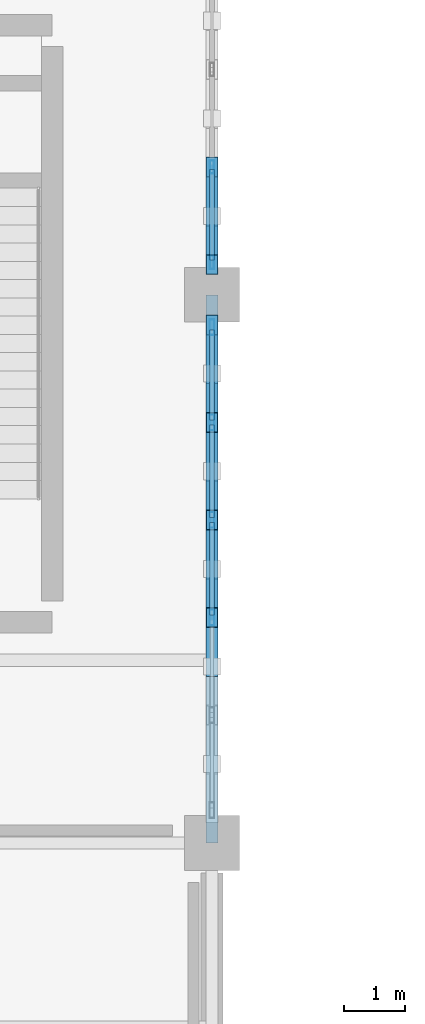
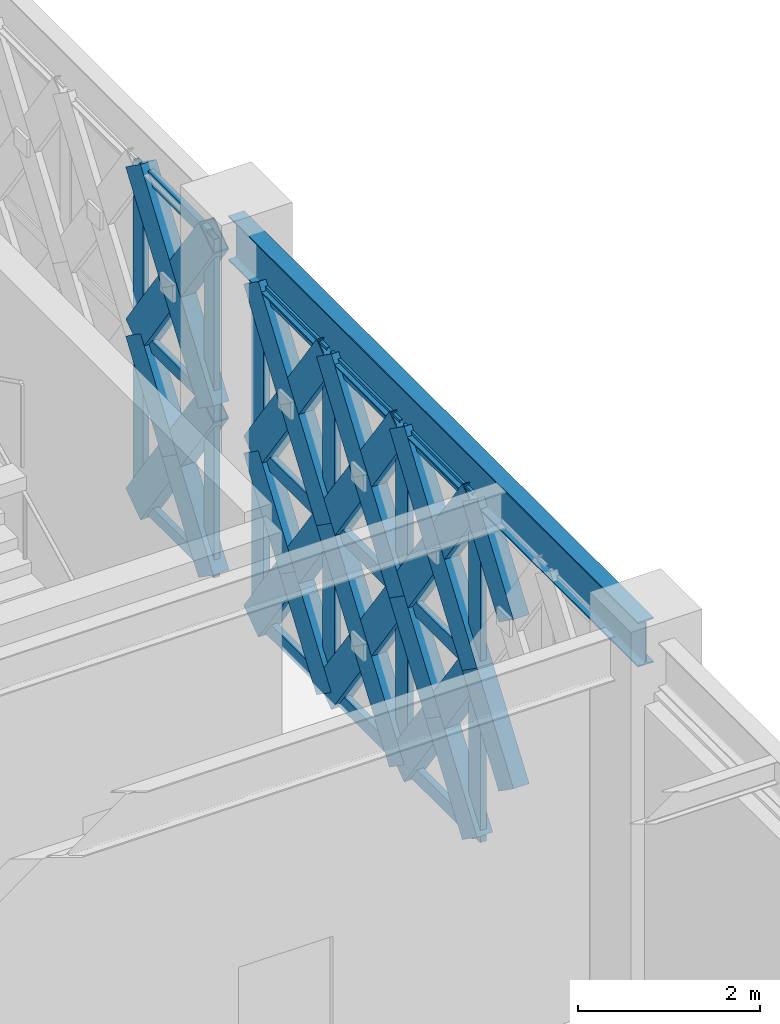
# One storey, part 23 of 166: 44 members, 1 beam, 2 elements without a shape of their own.
"""IFC4 building model written with IfcOpenShell, lengths in metres."""

import ifcopenshell
import ifcopenshell.guid

model = None  # the IFC model being written
_history = None  # IfcOwnerHistory: only IFC2X3 demands one
_inside = {}  # id of a spatial element -> (the spatial element, [elements in it])
_under = {}  # id of a project, library or spatial element -> (it, [spatial elements below it])
_declared = {}  # id of a project -> (the project, [libraries it declares])
_typed = {}  # id of a type object -> (the type object, [elements of that type])
_made_of = {}  # id of a material, layer set ... -> (it, [elements and type objects made of it])


def new_model(schema):
    """Start an empty IFC model of exactly this schema.

    Asked for "IFC4X3", IfcOpenShell would pick the latest addendum, in which some entities
    have other attributes; the version numbers below select the first issue.
    IFC2X3 requires an IfcOwnerHistory on every rooted entity: one is made here for all.
    """
    global model, _history
    if schema == "IFC4X3":
        model = ifcopenshell.file(schema_version=(4, 3, 0, 0))
    else:
        model = ifcopenshell.file(schema=schema)
    _inside.clear()
    _under.clear()
    _declared.clear()
    _typed.clear()
    _made_of.clear()
    _history = None
    if model.schema == "IFC2X3":
        org = make("IfcOrganization", Name="unknown")
        user = make(
            "IfcPersonAndOrganization",
            ThePerson=make("IfcPerson", FamilyName="unknown"),
            TheOrganization=org,
        )
        app = make(
            "IfcApplication",
            ApplicationDeveloper=org,
            Version="unknown",
            ApplicationFullName="unknown",
            ApplicationIdentifier="unknown",
        )
        _history = make(
            "IfcOwnerHistory",
            OwningUser=user,
            OwningApplication=app,
            ChangeAction="ADDED",
            CreationDate=0,
        )
    return model


def make(cls, **values):
    """One entity of the class cls with the attributes given. An attribute that is None is left unset."""
    return model.create_entity(
        cls, **{name: value for name, value in values.items() if value is not None}
    )


def rooted(cls, **values):
    """An entity with a GlobalId (a new one), such as an element, a storey or a relation."""
    return make(cls, GlobalId=ifcopenshell.guid.new(), OwnerHistory=_history, **values)


def si_unit(unit_type, name, prefix=None):
    """IfcSIUnit, for example si_unit("LENGTHUNIT", "METRE", prefix="MILLI")."""
    return make("IfcSIUnit", UnitType=unit_type, Prefix=prefix, Name=name)


def assignment(units):
    """IfcUnitAssignment: the units of a project."""
    return None if units is None else make("IfcUnitAssignment", Units=units)


def point(xyz):
    """IfcCartesianPoint."""
    return None if xyz is None else make("IfcCartesianPoint", Coordinates=xyz)


def direction(xyz):
    """IfcDirection."""
    return None if xyz is None else make("IfcDirection", DirectionRatios=xyz)


def frame(location, z_axis=None, x_axis=None):
    """IfcAxis2Placement3D, a coordinate frame: its origin and axes. An axis left out is left unset."""
    return make(
        "IfcAxis2Placement3D",
        Location=point(location),
        Axis=direction(z_axis),
        RefDirection=direction(x_axis),
    )


def frame_2d(location, x_axis=None):
    """IfcAxis2Placement2D, a coordinate frame in the plane: its origin and x axis."""
    return make(
        "IfcAxis2Placement2D", Location=point(location), RefDirection=direction(x_axis)
    )


def origin():
    """The frame at (0, 0, 0) with its axes left unset."""
    return frame((0.0, 0.0, 0.0))


def origin_2d():
    """The frame at (0, 0) in the plane with its x axis left unset."""
    return frame_2d((0.0, 0.0))


def place(relative_to, where):
    """IfcLocalPlacement: puts the frame where relative to a parent placement (None: the world)."""
    return make(
        "IfcLocalPlacement", PlacementRelTo=relative_to, RelativePlacement=where
    )


def context(
    kind, dimensions, precision=None, world=None, true_north=None, identifier=None
):
    """IfcGeometricRepresentationContext, for example the 3D "Model" context."""
    return make(
        "IfcGeometricRepresentationContext",
        ContextIdentifier=identifier,
        ContextType=kind,
        CoordinateSpaceDimension=dimensions,
        Precision=precision,
        WorldCoordinateSystem=world,
        TrueNorth=true_north,
    )


def subcontext(parent, identifier, kind, view, scale=None):
    """IfcGeometricRepresentationSubContext, for example "Body" below "Model"."""
    return make(
        "IfcGeometricRepresentationSubContext",
        ContextIdentifier=identifier,
        ContextType=kind,
        ParentContext=parent,
        TargetScale=scale,
        TargetView=view,
    )


def project(units=None, contexts=None):
    """IfcProject with its units and contexts."""
    return rooted(
        "IfcProject",
        Name="project",
        RepresentationContexts=contexts,
        UnitsInContext=assignment(units),
    )


def spatial(cls, under=None, at=None, **own):
    """A site, building, storey or space (cls), placed at a placement, below another one or the project."""
    s = rooted(cls, ObjectPlacement=at, **own)
    if under is not None:
        _under.setdefault(under.id(), (under, []))[1].append(s)
    return s


def profile(cls, at=None, kind="AREA", **sizes):
    """A parametric profile (cls). Its sizes go by their IFC names, for example OverallWidth=200.0."""
    return make(cls, ProfileType=kind, Position=at, **sizes)


def hollow_rectangle(**sizes):
    """IfcRectangleHollowProfileDef."""
    return profile("IfcRectangleHollowProfileDef", **sizes)


def i_section(**sizes):
    """IfcIShapeProfileDef."""
    return profile("IfcIShapeProfileDef", **sizes)


def extrude(swept, where, along, depth):
    """IfcExtrudedAreaSolid: the profile swept, set in the frame where, extruded along a direction by depth."""
    return make(
        "IfcExtrudedAreaSolid",
        SweptArea=swept,
        Position=where,
        ExtrudedDirection=direction(along),
        Depth=depth,
    )


def shape(context_of_items, identifier, shape_type, items):
    """IfcShapeRepresentation: the items that make up one representation, for example the "Body"."""
    return make(
        "IfcShapeRepresentation",
        ContextOfItems=context_of_items,
        RepresentationIdentifier=identifier,
        RepresentationType=shape_type,
        Items=items,
    )


def material(Name=None, Category=None):
    """IfcMaterial."""
    return make("IfcMaterial", Name=Name, Category=Category)


def material_profile(
    of_material, cross_section, Name=None, Category=None, Priority=None
):
    """IfcMaterialProfile: a cross section and its material."""
    return make(
        "IfcMaterialProfile",
        Name=Name,
        Material=of_material,
        Profile=cross_section,
        Priority=Priority,
        Category=Category,
    )


def profile_set(profiles, Name=None, composite=None):
    """IfcMaterialProfileSet."""
    return make(
        "IfcMaterialProfileSet",
        Name=Name,
        MaterialProfiles=profiles,
        CompositeProfile=composite,
    )


def made_of(thing, what):
    """Note that an element or type object is made of a material, layer set ...; save() writes the relation."""
    if what is not None:
        _made_of.setdefault(what.id(), (what, []))[1].append(thing)
    return thing


def type_object(cls, material=None, **own):
    """A type object (cls), such as IfcWallType, which elements share."""
    return made_of(rooted(cls, **own), material)


def element(
    cls,
    number,
    at=None,
    inside=None,
    cuts=None,
    type_object=None,
    material=None,
    context=None,
    identifier="Body",
    shape_type=None,
    held_by="IfcProductDefinitionShape",
    body=None,
    shapes=None,
    **own,
):
    """One element of the class cls, such as IfcWall. Its Tag is "e" and its number.

    at: its placement. inside: the storey or other place that contains it. cuts: it is an
    opening in that element (IfcRelVoidsElement). A single representation is given by context,
    identifier, shape_type and body (its items); several are given by shapes. held_by: the class
    of the entity that holds the representations. save() writes the other relations.
    """
    e = rooted(cls, Tag="e%d" % number, ObjectPlacement=at, **own)
    if body is not None:
        shapes = [shape(context, identifier, shape_type, body)]
    if shapes is not None:
        e.Representation = make(held_by, Representations=shapes)
    if inside is not None:
        _inside.setdefault(inside.id(), (inside, []))[1].append(e)
    if cuts is not None:
        rooted(
            "IfcRelVoidsElement", RelatingBuildingElement=cuts, RelatedOpeningElement=e
        )
    if type_object is not None:
        _typed.setdefault(type_object.id(), (type_object, []))[1].append(e)
    return made_of(e, material)


def aggregate(whole, parts):
    """IfcRelAggregates: a whole, such as a stair, and the parts it consists of."""
    return rooted("IfcRelAggregates", RelatingObject=whole, RelatedObjects=parts)


def save(model, path):
    """Write the relations noted so far, then the file.

    IfcRelAggregates (storeys below a building ...), IfcRelContainedInSpatialStructure (elements
    in a storey), IfcRelDefinesByType, IfcRelAssociatesMaterial and IfcRelDeclares: one each for
    every whole, place, type object, material and project.
    """
    for whole, parts in _under.values():
        aggregate(whole, parts)
    for where, things in _inside.values():
        rooted(
            "IfcRelContainedInSpatialStructure",
            RelatedElements=things,
            RelatingStructure=where,
        )
    for kind, things in _typed.values():
        rooted("IfcRelDefinesByType", RelatedObjects=things, RelatingType=kind)
    for what, things in _made_of.values():
        rooted("IfcRelAssociatesMaterial", RelatedObjects=things, RelatingMaterial=what)
    for by, libraries in _declared.values():
        rooted("IfcRelDeclares", RelatingContext=by, RelatedDefinitions=libraries)
    model.write(path)


model = new_model("IFC4")

# Units and contexts
model_context = context("Model", 3, precision=1e-05, world=origin(), true_north=direction((0.0, 1.0)))
body_context = subcontext(model_context, "Body", "Model", "MODEL_VIEW")
ifc_project = project(units=[si_unit("LENGTHUNIT", "METRE"), si_unit("AREAUNIT", "SQUARE_METRE"), si_unit("VOLUMEUNIT", "CUBIC_METRE"), si_unit("PLANEANGLEUNIT", "RADIAN"), si_unit("MASSUNIT", "GRAM", prefix="KILO")], contexts=[model_context])

# Site, building, storey
site_placement = place(None, origin())
site = spatial("IfcSite", under=ifc_project, at=site_placement, CompositionType="ELEMENT")
building_placement = place(site_placement, origin())
building = spatial("IfcBuilding", under=site, at=building_placement, Name="Haizhuo Lancet Aquarium", CompositionType="ELEMENT")
storey_placement = place(building_placement, frame((0.0, 0.0, 5.39990234375)))
storey = spatial("IfcBuildingStorey", under=building, at=storey_placement, Name="L01", CompositionType="ELEMENT", Elevation=5.39990234375)

# Beam
ifc_material_1 = material(Name="Steel S355", Category="steel")
ifc_material_profile_1 = material_profile(ifc_material_1, i_section(OverallWidth=0.199951171875, OverallDepth=0.60009765625, WebThickness=0.010986328125, FlangeThickness=0.01708984375, FilletRadius=0.02197265625, at=origin_2d()), Name="HN 600x200x11x17")
ifc_profile_set_1 = profile_set([ifc_material_profile_1], Name="Steel S355")
beam_type = type_object("IfcBeamType", Name="BM-ST-HN600", PredefinedType="BEAM", material=ifc_profile_set_1)
beam_placement = place(storey_placement, frame((-36.0, -27.0, 4.840087890625), z_axis=(0.0, 1.0, 0.0), x_axis=(-1.0, 0.0, 0.0)))
element("IfcBeam", 1, at=beam_placement, inside=storey, type_object=beam_type, Name="L01 V6 primary girder BM-L01-V6-028", PredefinedType="BEAM", context=body_context, shape_type="SweptSolid", body=[
    extrude(i_section(OverallWidth=0.199951171875, OverallDepth=0.60009765625, WebThickness=0.010986328125, FlangeThickness=0.01708984375, FilletRadius=0.02197265625, at=origin_2d()), origin(), (0.0, 0.0, 1.0), 9.0),
])

# Curtain wall, members
ifc_material_2 = material(Name="Aluminium 6063-T6", Category="aluminium")
curtain_wall_type = type_object("IfcCurtainWallType", Name="CWD-8010x4540", PredefinedType="NOTDEFINED", material=ifc_material_2)
curtain_wall_1_placement = place(storey_placement, origin())
curtain_wall_1 = element("IfcCurtainWall", 2, at=curtain_wall_1_placement, inside=storey, type_object=curtain_wall_type, Name="L01 curtain wall CW-V6-L01-206", PredefinedType="NOTDEFINED")
ifc_material_profile_2 = material_profile(ifc_material_2, hollow_rectangle(XDim=0.074951171875, YDim=0.219970703125, WallThickness=0.0048828125, at=origin_2d()), Name="ALU-M 75x220x5")
ifc_profile_set_2 = profile_set([ifc_material_profile_2], Name="Aluminium 6063-T6")
member_type_1 = type_object("IfcMemberType", Name="CW-MUL-2", PredefinedType="MULLION", material=ifc_profile_set_2)
member_1_placement = place(storey_placement, frame((-36.0, -15.903076171875, 0.0), z_axis=(0.0, 0.0, 1.0), x_axis=(1.0, 0.0, 0.0)))
member_1 = element("IfcMember", 3, at=member_1_placement, type_object=member_type_1, Name="CWD-80x45 mullion 5", PredefinedType="MULLION", context=body_context, shape_type="SweptSolid", body=[
    extrude(hollow_rectangle(XDim=0.074951171875, YDim=0.219970703125, WallThickness=0.0048828125, at=origin_2d()), origin(), (0.0, 0.0, 1.0), 4.5400390625),
])
member_2_placement = place(storey_placement, frame((-36.0, -17.468017578125, 0.0), z_axis=(0.0, 0.0, 1.0), x_axis=(1.0, 0.0, 0.0)))
member_2 = element("IfcMember", 4, at=member_2_placement, type_object=member_type_1, Name="CWD-80x45 mullion 6", PredefinedType="MULLION", context=body_context, shape_type="SweptSolid", body=[
    extrude(hollow_rectangle(XDim=0.074951171875, YDim=0.219970703125, WallThickness=0.0048828125, at=origin_2d()), origin(), (0.0, 0.0, 1.0), 4.5400390625),
])

curtain_wall_2_placement = place(storey_placement, origin())
curtain_wall_2 = element("IfcCurtainWall", 5, at=curtain_wall_2_placement, inside=storey, type_object=curtain_wall_type, Name="L01 curtain wall CW-V6-L01-207", PredefinedType="NOTDEFINED")
ifc_material_profile_3 = material_profile(ifc_material_2, hollow_rectangle(XDim=0.080078125, YDim=0.260009765625, WallThickness=0.0048828125, at=origin_2d()), Name="ALU-M 80x260x5")
ifc_profile_set_3 = profile_set([ifc_material_profile_3], Name="Aluminium 6063-T6")
member_type_2 = type_object("IfcMemberType", Name="CW-MUL-3", PredefinedType="MULLION", material=ifc_profile_set_3)
member_3_placement = place(storey_placement, frame((-36.0, -18.534912109375, 0.0), z_axis=(0.0, 0.0, 1.0), x_axis=(1.0, 0.0, 0.0)))
member_3 = element("IfcMember", 6, at=member_3_placement, type_object=member_type_2, Name="CWD-80x45 mullion 1", PredefinedType="MULLION", context=body_context, shape_type="SweptSolid", body=[
    extrude(hollow_rectangle(XDim=0.080078125, YDim=0.260009765625, WallThickness=0.0048828125, at=origin_2d()), origin(), (0.0, 0.0, 1.0), 4.5400390625),
])
member_4_placement = place(storey_placement, frame((-36.0, -20.096923828125, 0.0), z_axis=(0.0, 0.0, 1.0), x_axis=(1.0, 0.0, 0.0)))
member_4 = element("IfcMember", 7, at=member_4_placement, type_object=member_type_2, Name="CWD-80x45 mullion 2", PredefinedType="MULLION", context=body_context, shape_type="SweptSolid", body=[
    extrude(hollow_rectangle(XDim=0.080078125, YDim=0.260009765625, WallThickness=0.0048828125, at=origin_2d()), origin(), (0.0, 0.0, 1.0), 4.5400390625),
])
member_5_placement = place(storey_placement, frame((-36.0, -21.698974609375, 0.0), z_axis=(0.0, 0.0, 1.0), x_axis=(1.0, 0.0, 0.0)))
member_5 = element("IfcMember", 8, at=member_5_placement, type_object=member_type_2, Name="CWD-80x45 mullion 3", PredefinedType="MULLION", context=body_context, shape_type="SweptSolid", body=[
    extrude(hollow_rectangle(XDim=0.080078125, YDim=0.260009765625, WallThickness=0.0048828125, at=origin_2d()), origin(), (0.0, 0.0, 1.0), 4.5400390625),
])
member_6_placement = place(storey_placement, frame((-36.0, -23.301025390625, 0.0), z_axis=(0.0, 0.0, 1.0), x_axis=(1.0, 0.0, 0.0)))
member_6 = element("IfcMember", 9, at=member_6_placement, type_object=member_type_2, Name="CWD-80x45 mullion 4", PredefinedType="MULLION", context=body_context, shape_type="SweptSolid", body=[
    extrude(hollow_rectangle(XDim=0.080078125, YDim=0.260009765625, WallThickness=0.0048828125, at=origin_2d()), origin(), (0.0, 0.0, 1.0), 4.5400390625),
])

# Member
ifc_material_profile_4 = material_profile(ifc_material_2, hollow_rectangle(XDim=0.074951171875, YDim=0.159912109375, WallThickness=0.00390625, at=origin_2d()), Name="ALU-T 75x160x4")
ifc_profile_set_4 = profile_set([ifc_material_profile_4], Name="Aluminium 6063-T6")
member_type_3 = type_object("IfcMemberType", Name="CW-TRN-2", PredefinedType="NOTDEFINED", material=ifc_profile_set_4)
member_7_placement = place(storey_placement, frame((-36.0, -15.93994140625, 0.0380859375), z_axis=(0.0, -1.0, 0.0), x_axis=(1.0, 0.0, 0.0)))
member_7 = element("IfcMember", 10, at=member_7_placement, type_object=member_type_3, Name="CWD-80x45 transom 5.1", ObjectType="TRANSOM", PredefinedType="USERDEFINED", context=body_context, shape_type="SweptSolid", body=[
    extrude(hollow_rectangle(XDim=0.074951171875, YDim=0.159912109375, WallThickness=0.00390625, at=origin_2d()), origin(), (0.0, 0.0, 1.0), 1.489990234375),
])

member_8_placement = place(storey_placement, frame((-36.0, -15.93994140625, 2.27001953125), z_axis=(0.0, -1.0, 0.0), x_axis=(1.0, 0.0, 0.0)))
member_8 = element("IfcMember", 11, at=member_8_placement, type_object=member_type_3, Name="CWD-80x45 transom 5.2", ObjectType="TRANSOM", PredefinedType="USERDEFINED", context=body_context, shape_type="SweptSolid", body=[
    extrude(hollow_rectangle(XDim=0.074951171875, YDim=0.159912109375, WallThickness=0.00390625, at=origin_2d()), origin(), (0.0, 0.0, 1.0), 1.489990234375),
])

member_9_placement = place(storey_placement, frame((-36.0, -15.93994140625, 4.502197265625), z_axis=(0.0, -1.0, 0.0), x_axis=(1.0, 0.0, 0.0)))
member_9 = element("IfcMember", 12, at=member_9_placement, type_object=member_type_3, Name="CWD-80x45 transom 5.3", ObjectType="TRANSOM", PredefinedType="USERDEFINED", context=body_context, shape_type="SweptSolid", body=[
    extrude(hollow_rectangle(XDim=0.074951171875, YDim=0.159912109375, WallThickness=0.00390625, at=origin_2d()), origin(), (0.0, 0.0, 1.0), 1.489990234375),
])

aggregate(curtain_wall_1, [member_1, member_2, member_7, member_8, member_9])

ifc_material_profile_5 = material_profile(ifc_material_2, hollow_rectangle(XDim=0.080078125, YDim=0.18994140625, WallThickness=0.0048828125, at=origin_2d()), Name="ALU-T 80x190x5")
ifc_profile_set_5 = profile_set([ifc_material_profile_5], Name="Aluminium 6063-T6")
member_type_4 = type_object("IfcMemberType", Name="CW-TRN-3", PredefinedType="NOTDEFINED", material=ifc_profile_set_5)
member_10_placement = place(storey_placement, frame((-36.0, -18.574951171875, 0.0400390625), z_axis=(0.0, -1.0, 0.0), x_axis=(1.0, 0.0, 0.0)))
member_10 = element("IfcMember", 13, at=member_10_placement, type_object=member_type_4, Name="CWD-80x45 transom 1.1", ObjectType="TRANSOM", PredefinedType="USERDEFINED", context=body_context, shape_type="SweptSolid", body=[
    extrude(hollow_rectangle(XDim=0.080078125, YDim=0.18994140625, WallThickness=0.0048828125, at=origin_2d()), origin(), (0.0, 0.0, 1.0), 1.48193359375),
])

member_11_placement = place(storey_placement, frame((-36.0, -18.574951171875, 2.27001953125), z_axis=(0.0, -1.0, 0.0), x_axis=(1.0, 0.0, 0.0)))
member_11 = element("IfcMember", 14, at=member_11_placement, type_object=member_type_4, Name="CWD-80x45 transom 1.2", ObjectType="TRANSOM", PredefinedType="USERDEFINED", context=body_context, shape_type="SweptSolid", body=[
    extrude(hollow_rectangle(XDim=0.080078125, YDim=0.18994140625, WallThickness=0.0048828125, at=origin_2d()), origin(), (0.0, 0.0, 1.0), 1.48193359375),
])

member_12_placement = place(storey_placement, frame((-36.0, -18.574951171875, 4.5), z_axis=(0.0, -1.0, 0.0), x_axis=(1.0, 0.0, 0.0)))
member_12 = element("IfcMember", 15, at=member_12_placement, type_object=member_type_4, Name="CWD-80x45 transom 1.3", ObjectType="TRANSOM", PredefinedType="USERDEFINED", context=body_context, shape_type="SweptSolid", body=[
    extrude(hollow_rectangle(XDim=0.080078125, YDim=0.18994140625, WallThickness=0.0048828125, at=origin_2d()), origin(), (0.0, 0.0, 1.0), 1.48193359375),
])

member_13_placement = place(storey_placement, frame((-36.0, -20.136962890625, 0.0400390625), z_axis=(0.0, -1.0, 0.0), x_axis=(1.0, 0.0, 0.0)))
member_13 = element("IfcMember", 16, at=member_13_placement, type_object=member_type_4, Name="CWD-80x45 transom 2.1", ObjectType="TRANSOM", PredefinedType="USERDEFINED", context=body_context, shape_type="SweptSolid", body=[
    extrude(hollow_rectangle(XDim=0.080078125, YDim=0.18994140625, WallThickness=0.0048828125, at=origin_2d()), origin(), (0.0, 0.0, 1.0), 1.52197265625),
])

member_14_placement = place(storey_placement, frame((-36.0, -20.136962890625, 2.27001953125), z_axis=(0.0, -1.0, 0.0), x_axis=(1.0, 0.0, 0.0)))
member_14 = element("IfcMember", 17, at=member_14_placement, type_object=member_type_4, Name="CWD-80x45 transom 2.2", ObjectType="TRANSOM", PredefinedType="USERDEFINED", context=body_context, shape_type="SweptSolid", body=[
    extrude(hollow_rectangle(XDim=0.080078125, YDim=0.18994140625, WallThickness=0.0048828125, at=origin_2d()), origin(), (0.0, 0.0, 1.0), 1.52197265625),
])

member_15_placement = place(storey_placement, frame((-36.0, -20.136962890625, 4.5), z_axis=(0.0, -1.0, 0.0), x_axis=(1.0, 0.0, 0.0)))
member_15 = element("IfcMember", 18, at=member_15_placement, type_object=member_type_4, Name="CWD-80x45 transom 2.3", ObjectType="TRANSOM", PredefinedType="USERDEFINED", context=body_context, shape_type="SweptSolid", body=[
    extrude(hollow_rectangle(XDim=0.080078125, YDim=0.18994140625, WallThickness=0.0048828125, at=origin_2d()), origin(), (0.0, 0.0, 1.0), 1.52197265625),
])

member_16_placement = place(storey_placement, frame((-36.0, -21.739013671875, 0.0400390625), z_axis=(0.0, -1.0, 0.0), x_axis=(1.0, 0.0, 0.0)))
member_16 = element("IfcMember", 19, at=member_16_placement, type_object=member_type_4, Name="CWD-80x45 transom 3.1", ObjectType="TRANSOM", PredefinedType="USERDEFINED", context=body_context, shape_type="SweptSolid", body=[
    extrude(hollow_rectangle(XDim=0.080078125, YDim=0.18994140625, WallThickness=0.0048828125, at=origin_2d()), origin(), (0.0, 0.0, 1.0), 1.52197265625),
])

member_17_placement = place(storey_placement, frame((-36.0, -21.739013671875, 2.27001953125), z_axis=(0.0, -1.0, 0.0), x_axis=(1.0, 0.0, 0.0)))
member_17 = element("IfcMember", 20, at=member_17_placement, type_object=member_type_4, Name="CWD-80x45 transom 3.2", ObjectType="TRANSOM", PredefinedType="USERDEFINED", context=body_context, shape_type="SweptSolid", body=[
    extrude(hollow_rectangle(XDim=0.080078125, YDim=0.18994140625, WallThickness=0.0048828125, at=origin_2d()), origin(), (0.0, 0.0, 1.0), 1.52197265625),
])

member_18_placement = place(storey_placement, frame((-36.0, -21.739013671875, 4.5), z_axis=(0.0, -1.0, 0.0), x_axis=(1.0, 0.0, 0.0)))
member_18 = element("IfcMember", 21, at=member_18_placement, type_object=member_type_4, Name="CWD-80x45 transom 3.3", ObjectType="TRANSOM", PredefinedType="USERDEFINED", context=body_context, shape_type="SweptSolid", body=[
    extrude(hollow_rectangle(XDim=0.080078125, YDim=0.18994140625, WallThickness=0.0048828125, at=origin_2d()), origin(), (0.0, 0.0, 1.0), 1.52197265625),
])

aggregate(curtain_wall_2, [member_3, member_4, member_5, member_6, member_10, member_11, member_12, member_13, member_14, member_15, member_16, member_17, member_18])

# Members
ifc_material_profile_6 = material_profile(ifc_material_1, hollow_rectangle(XDim=0.199951171875, YDim=0.39990234375, WallThickness=0.011962890625, at=origin_2d()), Name="RHS 200x400x12")
ifc_profile_set_6 = profile_set([ifc_material_profile_6], Name="Steel S355")
member_type_5 = type_object("IfcMemberType", Name="MEM-LB-RHS200x400", PredefinedType="BRACE", material=ifc_profile_set_6)
member_19_placement = place(storey_placement, frame((-36.0, -15.903076171875, 0.0), z_axis=(0.0, -0.576548637348, 0.81706283037), x_axis=(1.0, 0.0, 0.0)))
element("IfcMember", 22, at=member_19_placement, inside=storey, type_object=member_type_5, Name="Gothic lancet continuous diagonal brace CW-V6-L01-206 9A", PredefinedType="BRACE", context=body_context, shape_type="SweptSolid", body=[
    extrude(hollow_rectangle(XDim=0.199951171875, YDim=0.39990234375, WallThickness=0.011962890625, at=origin_2d()), origin(), (0.0, 0.0, 1.0), 2.7783203125),
])
for number, where, z_axis, x_axis, name in (
    (23, (-36.0, -17.5048828125, 0.0), (0.0, 0.576489968194, 0.81710422626), (-1.0, 0.0, 0.0), "Gothic lancet split diagonal brace CW-V6-L01-206 9B1"),
    (24, (-36.0, -16.7041015625, 1.135009765625), (0.0, 0.576607297585, 0.817021434463), (-1.0, 0.0, 0.0), "Gothic lancet split diagonal brace CW-V6-L01-206 9B2"),
):
    element("IfcMember", number, at=place(storey_placement, frame(where, z_axis=z_axis, x_axis=x_axis)), inside=storey, type_object=member_type_5, Name=name, PredefinedType="BRACE", context=body_context, shape_type="SweptSolid", body=[
        extrude(hollow_rectangle(XDim=0.199951171875, YDim=0.39990234375, WallThickness=0.011962890625, at=origin_2d()), origin(), (0.0, 0.0, 1.0), 1.38916015625),
    ])
member_20_placement = place(storey_placement, frame((-36.0, -15.903076171875, 2.27001953125), z_axis=(0.0, -0.576548637348, 0.81706283037), x_axis=(1.0, 0.0, 0.0)))
element("IfcMember", 25, at=member_20_placement, inside=storey, type_object=member_type_5, Name="Gothic lancet continuous diagonal brace CW-V6-L01-206 10A", PredefinedType="BRACE", context=body_context, shape_type="SweptSolid", body=[
    extrude(hollow_rectangle(XDim=0.199951171875, YDim=0.39990234375, WallThickness=0.011962890625, at=origin_2d()), origin(), (0.0, 0.0, 1.0), 2.7783203125),
])
for number, where, z_axis, x_axis, name in (
    (26, (-36.0, -17.5048828125, 2.27001953125), (0.0, 0.576489968194, 0.81710422626), (-1.0, 0.0, 0.0), "Gothic lancet split diagonal brace CW-V6-L01-206 10B1"),
    (27, (-36.0, -16.7041015625, 3.405029296875), (0.0, 0.576607297585, 0.817021434463), (-1.0, 0.0, 0.0), "Gothic lancet split diagonal brace CW-V6-L01-206 10B2"),
):
    element("IfcMember", number, at=place(storey_placement, frame(where, z_axis=z_axis, x_axis=x_axis)), inside=storey, type_object=member_type_5, Name=name, PredefinedType="BRACE", context=body_context, shape_type="SweptSolid", body=[
        extrude(hollow_rectangle(XDim=0.199951171875, YDim=0.39990234375, WallThickness=0.011962890625, at=origin_2d()), origin(), (0.0, 0.0, 1.0), 1.38916015625),
    ])
member_21_placement = place(storey_placement, frame((-36.0, -18.4951171875, 0.0), z_axis=(0.0, -0.576548637348, 0.81706283037), x_axis=(1.0, 0.0, 0.0)))
element("IfcMember", 28, at=member_21_placement, inside=storey, type_object=member_type_5, Name="Gothic lancet continuous diagonal brace CW-V6-L01-207 1A", PredefinedType="BRACE", context=body_context, shape_type="SweptSolid", body=[
    extrude(hollow_rectangle(XDim=0.199951171875, YDim=0.39990234375, WallThickness=0.011962890625, at=origin_2d()), origin(), (0.0, 0.0, 1.0), 2.7783203125),
])
for number, where, z_axis, x_axis, name in (
    (29, (-36.0, -20.096923828125, 0.0), (0.0, 0.576607297585, 0.817021434463), (-1.0, 0.0, 0.0), "Gothic lancet split diagonal brace CW-V6-L01-207 1B1"),
    (30, (-36.0, -19.2958984375, 1.135009765625), (0.0, 0.576489968194, 0.81710422626), (-1.0, 0.0, 0.0), "Gothic lancet split diagonal brace CW-V6-L01-207 1B2"),
):
    element("IfcMember", number, at=place(storey_placement, frame(where, z_axis=z_axis, x_axis=x_axis)), inside=storey, type_object=member_type_5, Name=name, PredefinedType="BRACE", context=body_context, shape_type="SweptSolid", body=[
        extrude(hollow_rectangle(XDim=0.199951171875, YDim=0.39990234375, WallThickness=0.011962890625, at=origin_2d()), origin(), (0.0, 0.0, 1.0), 1.38916015625),
    ])
member_22_placement = place(storey_placement, frame((-36.0, -18.4951171875, 2.27001953125), z_axis=(0.0, -0.576548637348, 0.81706283037), x_axis=(1.0, 0.0, 0.0)))
element("IfcMember", 31, at=member_22_placement, inside=storey, type_object=member_type_5, Name="Gothic lancet continuous diagonal brace CW-V6-L01-207 2A", PredefinedType="BRACE", context=body_context, shape_type="SweptSolid", body=[
    extrude(hollow_rectangle(XDim=0.199951171875, YDim=0.39990234375, WallThickness=0.011962890625, at=origin_2d()), origin(), (0.0, 0.0, 1.0), 2.7783203125),
])
for number, where, z_axis, x_axis, name in (
    (32, (-36.0, -20.096923828125, 2.27001953125), (0.0, 0.576607297585, 0.817021434463), (-1.0, 0.0, 0.0), "Gothic lancet split diagonal brace CW-V6-L01-207 2B1"),
    (33, (-36.0, -19.2958984375, 3.405029296875), (0.0, 0.576489968194, 0.81710422626), (-1.0, 0.0, 0.0), "Gothic lancet split diagonal brace CW-V6-L01-207 2B2"),
):
    element("IfcMember", number, at=place(storey_placement, frame(where, z_axis=z_axis, x_axis=x_axis)), inside=storey, type_object=member_type_5, Name=name, PredefinedType="BRACE", context=body_context, shape_type="SweptSolid", body=[
        extrude(hollow_rectangle(XDim=0.199951171875, YDim=0.39990234375, WallThickness=0.011962890625, at=origin_2d()), origin(), (0.0, 0.0, 1.0), 1.38916015625),
    ])
member_23_placement = place(storey_placement, frame((-36.0, -20.096923828125, 0.0), z_axis=(0.0, -0.576607297585, 0.817021434463), x_axis=(1.0, 0.0, 0.0)))
element("IfcMember", 34, at=member_23_placement, inside=storey, type_object=member_type_5, Name="Gothic lancet continuous diagonal brace CW-V6-L01-207 3A", PredefinedType="BRACE", context=body_context, shape_type="SweptSolid", body=[
    extrude(hollow_rectangle(XDim=0.199951171875, YDim=0.39990234375, WallThickness=0.011962890625, at=origin_2d()), origin(), (0.0, 0.0, 1.0), 2.7783203125),
])
for number, where, z_axis, x_axis, name in (
    (35, (-36.0, -21.698974609375, 0.0), (0.0, 0.576607297585, 0.817021434463), (-1.0, 0.0, 0.0), "Gothic lancet split diagonal brace CW-V6-L01-207 3B1"),
    (36, (-36.0, -20.89794921875, 1.135009765625), (0.0, 0.576607297585, 0.817021434463), (-1.0, 0.0, 0.0), "Gothic lancet split diagonal brace CW-V6-L01-207 3B2"),
):
    element("IfcMember", number, at=place(storey_placement, frame(where, z_axis=z_axis, x_axis=x_axis)), inside=storey, type_object=member_type_5, Name=name, PredefinedType="BRACE", context=body_context, shape_type="SweptSolid", body=[
        extrude(hollow_rectangle(XDim=0.199951171875, YDim=0.39990234375, WallThickness=0.011962890625, at=origin_2d()), origin(), (0.0, 0.0, 1.0), 1.38916015625),
    ])
member_24_placement = place(storey_placement, frame((-36.0, -20.096923828125, 2.27001953125), z_axis=(0.0, -0.576607297585, 0.817021434463), x_axis=(1.0, 0.0, 0.0)))
element("IfcMember", 37, at=member_24_placement, inside=storey, type_object=member_type_5, Name="Gothic lancet continuous diagonal brace CW-V6-L01-207 4A", PredefinedType="BRACE", context=body_context, shape_type="SweptSolid", body=[
    extrude(hollow_rectangle(XDim=0.199951171875, YDim=0.39990234375, WallThickness=0.011962890625, at=origin_2d()), origin(), (0.0, 0.0, 1.0), 2.7783203125),
])
for number, where, z_axis, x_axis, name in (
    (38, (-36.0, -21.698974609375, 2.27001953125), (0.0, 0.576607297585, 0.817021434463), (-1.0, 0.0, 0.0), "Gothic lancet split diagonal brace CW-V6-L01-207 4B1"),
    (39, (-36.0, -20.89794921875, 3.405029296875), (0.0, 0.576607297585, 0.817021434463), (-1.0, 0.0, 0.0), "Gothic lancet split diagonal brace CW-V6-L01-207 4B2"),
):
    element("IfcMember", number, at=place(storey_placement, frame(where, z_axis=z_axis, x_axis=x_axis)), inside=storey, type_object=member_type_5, Name=name, PredefinedType="BRACE", context=body_context, shape_type="SweptSolid", body=[
        extrude(hollow_rectangle(XDim=0.199951171875, YDim=0.39990234375, WallThickness=0.011962890625, at=origin_2d()), origin(), (0.0, 0.0, 1.0), 1.38916015625),
    ])
member_25_placement = place(storey_placement, frame((-36.0, -21.698974609375, 0.0), z_axis=(0.0, -0.576607297585, 0.817021434463), x_axis=(1.0, 0.0, 0.0)))
element("IfcMember", 40, at=member_25_placement, inside=storey, type_object=member_type_5, Name="Gothic lancet continuous diagonal brace CW-V6-L01-207 5A", PredefinedType="BRACE", context=body_context, shape_type="SweptSolid", body=[
    extrude(hollow_rectangle(XDim=0.199951171875, YDim=0.39990234375, WallThickness=0.011962890625, at=origin_2d()), origin(), (0.0, 0.0, 1.0), 2.7783203125),
])
for number, where, z_axis, x_axis, name in (
    (41, (-36.0, -23.301025390625, 0.0), (0.0, 0.576607297585, 0.817021434463), (-1.0, 0.0, 0.0), "Gothic lancet split diagonal brace CW-V6-L01-207 5B1"),
    (42, (-36.0, -22.5, 1.135009765625), (0.0, 0.576607297585, 0.817021434463), (-1.0, 0.0, 0.0), "Gothic lancet split diagonal brace CW-V6-L01-207 5B2"),
):
    element("IfcMember", number, at=place(storey_placement, frame(where, z_axis=z_axis, x_axis=x_axis)), inside=storey, type_object=member_type_5, Name=name, PredefinedType="BRACE", context=body_context, shape_type="SweptSolid", body=[
        extrude(hollow_rectangle(XDim=0.199951171875, YDim=0.39990234375, WallThickness=0.011962890625, at=origin_2d()), origin(), (0.0, 0.0, 1.0), 1.38916015625),
    ])
member_26_placement = place(storey_placement, frame((-36.0, -21.698974609375, 2.27001953125), z_axis=(0.0, -0.576607297585, 0.817021434463), x_axis=(1.0, 0.0, 0.0)))
element("IfcMember", 43, at=member_26_placement, inside=storey, type_object=member_type_5, Name="Gothic lancet continuous diagonal brace CW-V6-L01-207 6A", PredefinedType="BRACE", context=body_context, shape_type="SweptSolid", body=[
    extrude(hollow_rectangle(XDim=0.199951171875, YDim=0.39990234375, WallThickness=0.011962890625, at=origin_2d()), origin(), (0.0, 0.0, 1.0), 2.7783203125),
])
for number, where, z_axis, x_axis, name in (
    (44, (-36.0, -23.301025390625, 2.27001953125), (0.0, 0.576607297585, 0.817021434463), (-1.0, 0.0, 0.0), "Gothic lancet split diagonal brace CW-V6-L01-207 6B1"),
    (45, (-36.0, -22.5, 3.405029296875), (0.0, 0.576607297585, 0.817021434463), (-1.0, 0.0, 0.0), "Gothic lancet split diagonal brace CW-V6-L01-207 6B2"),
    (46, (-36.0, -24.10205078125, 1.135009765625), (0.0, 0.576607297585, 0.817021434463), (-1.0, 0.0, 0.0), "Gothic lancet split diagonal brace CW-V6-L01-207 7B2"),
    (47, (-36.0, -24.10205078125, 3.405029296875), (0.0, 0.576607297585, 0.817021434463), (-1.0, 0.0, 0.0), "Gothic lancet split diagonal brace CW-V6-L01-207 8B2"),
):
    element("IfcMember", number, at=place(storey_placement, frame(where, z_axis=z_axis, x_axis=x_axis)), inside=storey, type_object=member_type_5, Name=name, PredefinedType="BRACE", context=body_context, shape_type="SweptSolid", body=[
        extrude(hollow_rectangle(XDim=0.199951171875, YDim=0.39990234375, WallThickness=0.011962890625, at=origin_2d()), origin(), (0.0, 0.0, 1.0), 1.38916015625),
    ])

save(model, "model.ifc")
